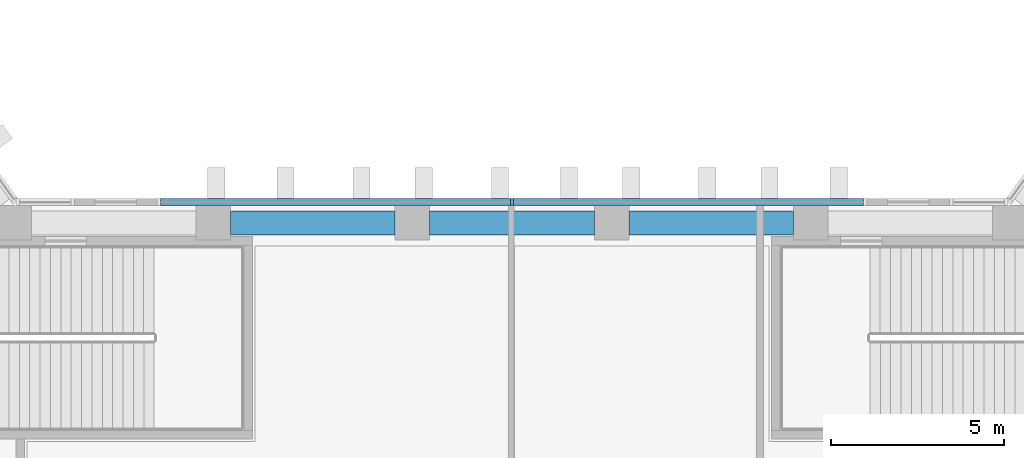
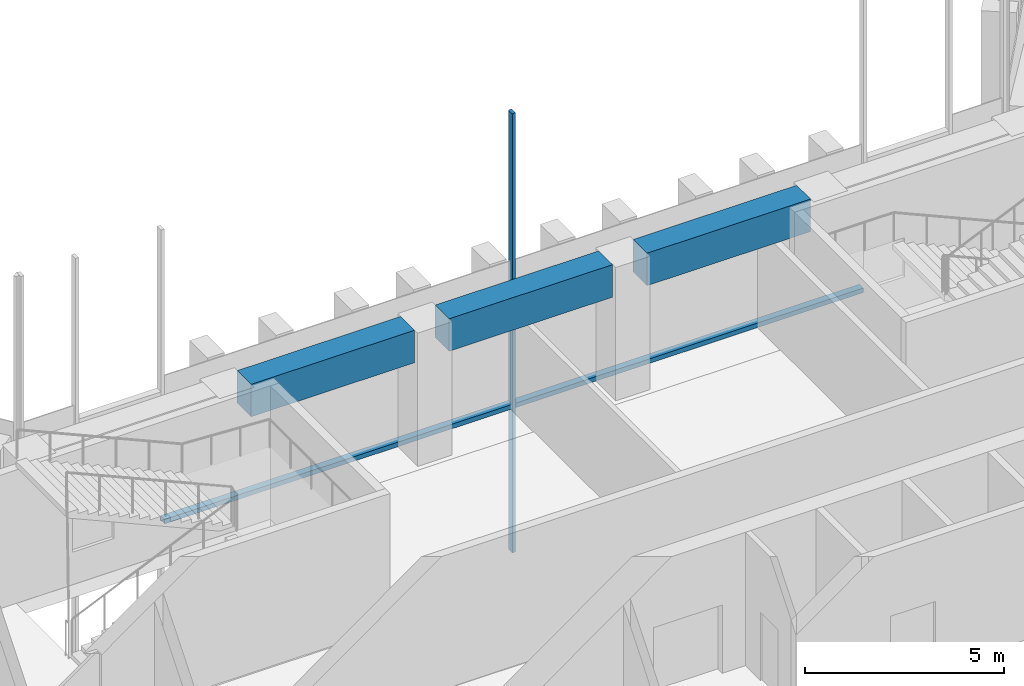
# One storey, part 3 of 18: 3 beams, 3 members, 1 element without a shape of its own.
"""IFC4 building model written with IfcOpenShell, lengths in metres."""

from ifc_helpers import new_model, si_unit, direction, frame, origin, origin_2d, place, context, subcontext, project, spatial, rectangle, extrude, material, material_profile, profile_set, type_object, element, aggregate, save


model = new_model("IFC4")

# Units and contexts
model_context = context("Model", 3, precision=1e-05, world=origin(), true_north=direction((0.0, 1.0)))
body_context = subcontext(model_context, "Body", "Model", "MODEL_VIEW")
ifc_project = project(units=[si_unit("LENGTHUNIT", "METRE"), si_unit("AREAUNIT", "SQUARE_METRE"), si_unit("VOLUMEUNIT", "CUBIC_METRE"), si_unit("PLANEANGLEUNIT", "RADIAN"), si_unit("MASSUNIT", "GRAM", prefix="KILO")], contexts=[model_context])

# Site, building, storey
site_placement = place(None, origin())
site = spatial("IfcSite", under=ifc_project, at=site_placement, CompositionType="ELEMENT")
building_placement = place(site_placement, origin())
building = spatial("IfcBuilding", under=site, at=building_placement, Name="Quipu Civic Tower", CompositionType="ELEMENT")
storey_placement = place(building_placement, frame((0.0, 0.0, 16.0)))
storey = spatial("IfcBuildingStorey", under=building, at=storey_placement, Name="L03", CompositionType="ELEMENT", Elevation=16.0)

# Curtain wall, member
ifc_material_1 = material(Name="Insulated glass unit", Category="glass")
curtain_wall_type = type_object("IfcCurtainWallType", Name="Public services curtain wall CW3", PredefinedType="NOTDEFINED", material=ifc_material_1)
curtain_wall_placement = place(storey_placement, origin())
curtain_wall = element("IfcCurtainWall", 1, at=curtain_wall_placement, inside=storey, type_object=curtain_wall_type, Name="Public services curtain wall CW3 L02 run 52", PredefinedType="NOTDEFINED")
ifc_material_2 = material(Name="Anodised aluminium", Category="aluminium")
ifc_material_profile_1 = material_profile(ifc_material_2, rectangle(XDim=0.199951171875, YDim=0.10009765625, at=origin_2d()), Name="RECT 200x100")
ifc_profile_set_1 = profile_set([ifc_material_profile_1], Name="Anodised aluminium")
member_type_1 = type_object("IfcMemberType", Name="Mullion CW3", PredefinedType="MULLION", material=ifc_profile_set_1)
member_1_placement = place(storey_placement, frame((0.0, 11.10009765625, -4.429931640625), z_axis=(0.0, 0.0, 1.0), x_axis=(0.0, -1.0, 0.0)))
member_1 = element("IfcMember", 2, at=member_1_placement, type_object=member_type_1, Name="CW3 mullion 2", PredefinedType="MULLION", context=body_context, shape_type="SweptSolid", body=[
    extrude(rectangle(XDim=0.199951171875, YDim=0.10009765625, at=origin_2d()), origin(), (0.0, 0.0, 1.0), 13.5),
])

# Beams
ifc_material_3 = material(Name="Concrete C50/60", Category="concrete")
ifc_material_profile_2 = material_profile(ifc_material_3, rectangle(XDim=0.699951171875, YDim=1.0, at=origin_2d()), Name="RC700x1000")
ifc_profile_set_2 = profile_set([ifc_material_profile_2], Name="Concrete C50/60")
beam_type = type_object("IfcBeamType", Name="Spandrel beam RC 700x1000 C50/60", PredefinedType="SPANDREL", material=ifc_profile_set_2)
beam_1_placement = place(storey_placement, frame((8.13720703125, 10.5, 3.60009765625), z_axis=(-1.0, 0.0, 0.0), x_axis=(0.0, -1.0, 0.0)))
element("IfcBeam", 3, at=beam_1_placement, inside=storey, type_object=beam_type, Name="Spandrel beam L03 FRONT-01 to FRONT-02", PredefinedType="SPANDREL", context=body_context, shape_type="SweptSolid", body=[
    extrude(rectangle(XDim=0.699951171875, YDim=1.0, at=origin_2d()), origin(), (0.0, 0.0, 1.0), 4.75830078125),
])
beam_2_placement = place(storey_placement, frame((2.37890625, 10.5, 3.60009765625), z_axis=(-1.0, 0.0, 0.0), x_axis=(0.0, -1.0, 0.0)))
element("IfcBeam", 4, at=beam_2_placement, inside=storey, type_object=beam_type, Name="Spandrel beam L03 FRONT-02 to FRONT-03", PredefinedType="SPANDREL", context=body_context, shape_type="SweptSolid", body=[
    extrude(rectangle(XDim=0.699951171875, YDim=1.0, at=origin_2d()), origin(), (0.0, 0.0, 1.0), 4.7578125),
])
beam_3_placement = place(storey_placement, frame((-3.37890625, 10.5, 3.60009765625), z_axis=(-1.0, 0.0, 0.0), x_axis=(0.0, -1.0, 0.0)))
element("IfcBeam", 5, at=beam_3_placement, inside=storey, type_object=beam_type, Name="Spandrel beam L03 FRONT-03 to FRONT-04", PredefinedType="SPANDREL", context=body_context, shape_type="SweptSolid", body=[
    extrude(rectangle(XDim=0.699951171875, YDim=1.0, at=origin_2d()), origin(), (0.0, 0.0, 1.0), 4.75830078125),
])

# Member
ifc_material_4 = material(Name="Anodised aluminium", Category="aluminium")
ifc_material_profile_3 = material_profile(ifc_material_4, rectangle(XDim=0.199951171875, YDim=0.139892578125, at=origin_2d()), Name="RECT 200x140")
ifc_profile_set_3 = profile_set([ifc_material_profile_3], Name="Anodised aluminium")
member_type_2 = type_object("IfcMemberType", Name="Transom CW3", PredefinedType="USERDEFINED", material=ifc_profile_set_3)
member_2_placement = place(storey_placement, frame((10.16357421875, 11.10009765625, 0.070068359375), z_axis=(-1.0, 0.0, 0.0), x_axis=(0.0, -1.0, 0.0)))
member_2 = element("IfcMember", 6, at=member_2_placement, type_object=member_type_2, Name="CW3 transom 1.2", ObjectType="TRANSOM", PredefinedType="USERDEFINED", context=body_context, shape_type="SweptSolid", body=[
    extrude(rectangle(XDim=0.199951171875, YDim=0.139892578125, at=origin_2d()), origin(), (0.0, 0.0, 1.0), 10.113525390625),
])

member_3_placement = place(storey_placement, frame((-0.050048828125, 11.10009765625, 0.070068359375), z_axis=(-1.0, 0.0, 0.0), x_axis=(0.0, -1.0, 0.0)))
member_3 = element("IfcMember", 7, at=member_3_placement, type_object=member_type_2, Name="CW3 transom 2.2", ObjectType="TRANSOM", PredefinedType="USERDEFINED", context=body_context, shape_type="SweptSolid", body=[
    extrude(rectangle(XDim=0.199951171875, YDim=0.139892578125, at=origin_2d()), origin(), (0.0, 0.0, 1.0), 10.113525390625),
])

aggregate(curtain_wall, [member_1, member_2, member_3])

save(model, "model.ifc")
